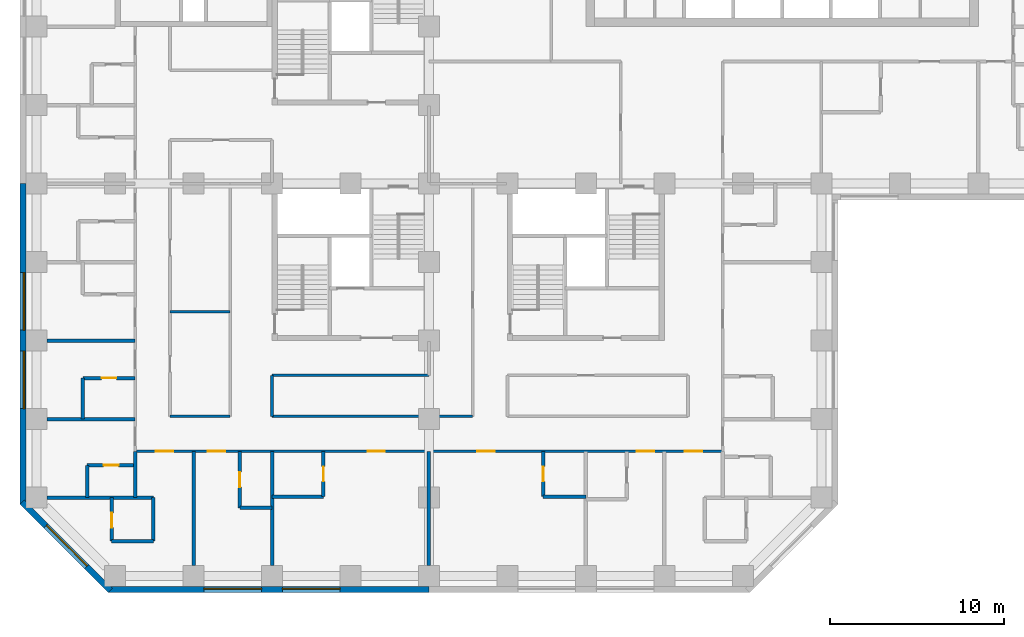
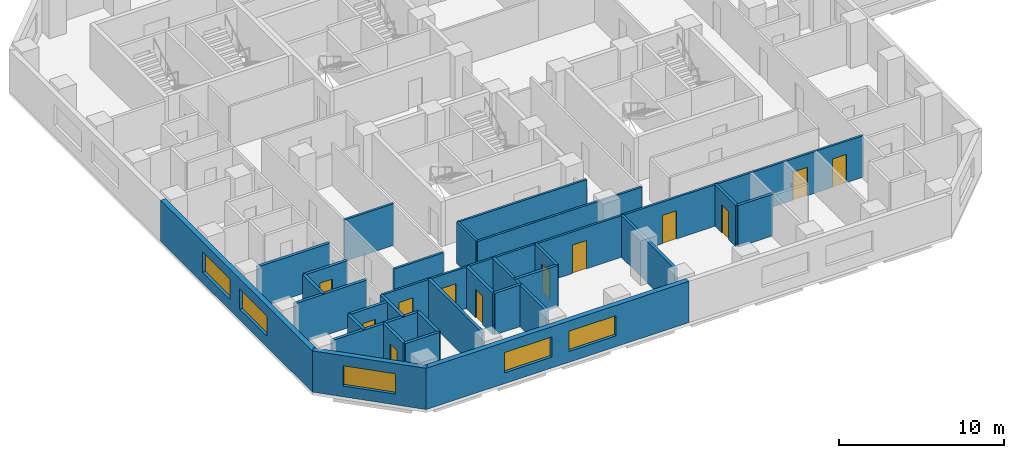
# One storey, part 2 of 12: 29 walls, 12 doors, 5 windows, 17 openings.
"""IFC4 building model written with IfcOpenShell, lengths in metres."""

from ifc_helpers import new_model, si_unit, direction, frame, frame_2d, origin, place, context, subcontext, project, spatial, rectangle, extrude, material, layer, layer_set, constituent, constituent_set, type_object, element, fill, save


model = new_model("IFC4")

# Units and contexts
model_context = context("Model", 3, precision=1e-05, world=origin(), true_north=direction((0.0, 1.0)))
body_context = subcontext(model_context, "Body", "Model", "MODEL_VIEW")
ifc_project = project(units=[si_unit("LENGTHUNIT", "METRE"), si_unit("AREAUNIT", "SQUARE_METRE"), si_unit("VOLUMEUNIT", "CUBIC_METRE"), si_unit("PLANEANGLEUNIT", "RADIAN"), si_unit("MASSUNIT", "GRAM", prefix="KILO")], contexts=[model_context])

# Site, building, storey
site_placement = place(None, origin())
site = spatial("IfcSite", under=ifc_project, at=site_placement, CompositionType="ELEMENT")
building_placement = place(site_placement, origin())
building = spatial("IfcBuilding", under=site, at=building_placement, Name="Quoin Convention Tower", CompositionType="ELEMENT")
storey_placement = place(building_placement, frame((0.0, 0.0, 56.10009765625)))
storey = spatial("IfcBuildingStorey", under=building, at=storey_placement, Name="L14", CompositionType="ELEMENT", Elevation=56.10009765625)

# Wall, opening, window
ifc_material_1 = material(Name="Brick masonry", Category="masonry")
ifc_layer_1 = layer(ifc_material_1, 0.35009765625)
ifc_layer_set_1 = layer_set([ifc_layer_1], Name="Brick masonry")
wall_type_1 = type_object("IfcWallType", Name="Brick facade wall", PredefinedType="STANDARD", material=ifc_layer_set_1)
wall_1_placement = place(storey_placement, frame((12.673583984375, 22.230224609375, 0.0), z_axis=(0.0, 0.0, 1.0), x_axis=(0.707106781187, -0.707106781187, 0.0)))
wall_1 = element("IfcWall", 1, at=wall_1_placement, inside=storey, type_object=wall_type_1, Name="fw-L14-13500_22500", PredefinedType="STANDARD", context=body_context, shape_type="SweptSolid", body=[
    extrude(rectangle(XDim=7.151123046875, YDim=0.35009765625, at=frame_2d((3.57568359375, 0.0))), origin(), (0.0, 0.0, 1.0), 3.054931640625),
])
opening_1_placement = place(wall_1_placement, frame((1.925537109375, 0.0, 0.800048828125)))
opening_1 = element("IfcOpeningElement", 2, at=opening_1_placement, cuts=wall_1, Name="Opening W-01", PredefinedType="OPENING", context=body_context, shape_type="SweptSolid", body=[
    extrude(rectangle(XDim=3.300048828125, YDim=1.5, at=frame_2d((1.64990234375, 0.75))), frame((0.0, 0.18505859375, 0.0), z_axis=(0.0, -1.0, 0.0), x_axis=(1.0, 0.0, 0.0)), (0.0, 0.0, 1.0), 0.3701171875),
])
ifc_material_2 = material(Name="Aluminium", Category="aluminium")
ifc_constituent_1 = constituent(ifc_material_2, Name="Frame")
ifc_material_3 = material(Name="Insulated glass", Category="glass")
ifc_constituent_2 = constituent(ifc_material_3, Name="Glazing")
ifc_constituent_set = constituent_set(constituents=[ifc_constituent_1, ifc_constituent_2], Name="Aluminium")
window_type = type_object("IfcWindowType", Name="Hotel strip window", PartitioningType="DOUBLE_PANEL_VERTICAL", PredefinedType="WINDOW", material=ifc_constituent_set)
window_1_placement = place(opening_1_placement, origin())
window_1 = element("IfcWindow", 3, at=window_1_placement, inside=storey, type_object=window_type, Name="win-L14-15202_19702", OverallHeight=1.5, OverallWidth=3.300048828125, PartitioningType="SINGLE_PANEL", PredefinedType="WINDOW", context=body_context, shape_type="SweptSolid", body=[
    extrude(rectangle(XDim=3.300048828125, YDim=1.5, at=frame_2d((1.64990234375, 0.75))), frame((0.0, 0.0849609375, 0.0), z_axis=(0.0, -1.0, 0.0), x_axis=(1.0, 0.0, 0.0)), (0.0, 0.0, 1.0), 0.06005859375),
])
fill(opening_1, window_1)

# Wall, openings, windows
wall_2_placement = place(storey_placement, frame((17.6064453125, 17.22509765625, 0.0), z_axis=(0.0, 0.0, 1.0), x_axis=(1.0, 0.0, 0.0)))
wall_2 = element("IfcWall", 4, at=wall_2_placement, inside=storey, type_object=wall_type_1, Name="fw-L14-18000_18000", PredefinedType="STANDARD", context=body_context, shape_type="SweptSolid", body=[
    extrude(rectangle(XDim=18.3935546875, YDim=0.35009765625, at=frame_2d((9.19677734375, 0.0))), origin(), (0.0, 0.0, 1.0), 3.054931640625),
])
opening_2_placement = place(wall_2_placement, frame((5.493408203125, 0.0, 0.800048828125)))
opening_2 = element("IfcOpeningElement", 5, at=opening_2_placement, cuts=wall_2, Name="Opening W-01", PredefinedType="OPENING", context=body_context, shape_type="SweptSolid", body=[
    extrude(rectangle(XDim=3.300048828125, YDim=1.5, at=frame_2d((1.64990234375, 0.75))), frame((0.0, 0.18505859375, 0.0), z_axis=(0.0, -1.0, 0.0), x_axis=(1.0, 0.0, 0.0)), (0.0, 0.0, 1.0), 0.3701171875),
])
opening_3_placement = place(wall_2_placement, frame((9.993408203125, 0.0, 0.800048828125)))
opening_3 = element("IfcOpeningElement", 6, at=opening_3_placement, cuts=wall_2, Name="Opening W-01", PredefinedType="OPENING", context=body_context, shape_type="SweptSolid", body=[
    extrude(rectangle(XDim=3.300048828125, YDim=1.5, at=frame_2d((1.64990234375, 0.75))), frame((0.0, 0.18505859375, 0.0), z_axis=(0.0, -1.0, 0.0), x_axis=(1.0, 0.0, 0.0)), (0.0, 0.0, 1.0), 0.3701171875),
])
window_2_placement = place(opening_2_placement, origin())
window_2 = element("IfcWindow", 7, at=window_2_placement, inside=storey, type_object=window_type, Name="win-L14-24750_17225", OverallHeight=1.5, OverallWidth=3.300048828125, PartitioningType="SINGLE_PANEL", PredefinedType="WINDOW", context=body_context, shape_type="SweptSolid", body=[
    extrude(rectangle(XDim=3.300048828125, YDim=1.5, at=frame_2d((1.64990234375, 0.75))), frame((0.0, 0.0849609375, 0.0), z_axis=(0.0, -1.0, 0.0), x_axis=(1.0, 0.0, 0.0)), (0.0, 0.0, 1.0), 0.06005859375),
])
fill(opening_2, window_2)
window_3_placement = place(opening_3_placement, origin())
window_3 = element("IfcWindow", 8, at=window_3_placement, inside=storey, type_object=window_type, Name="win-L14-29250_17225", OverallHeight=1.5, OverallWidth=3.300048828125, PartitioningType="SINGLE_PANEL", PredefinedType="WINDOW", context=body_context, shape_type="SweptSolid", body=[
    extrude(rectangle(XDim=3.300048828125, YDim=1.5, at=frame_2d((1.64990234375, 0.75))), frame((0.0, 0.0849609375, 0.0), z_axis=(0.0, -1.0, 0.0), x_axis=(1.0, 0.0, 0.0)), (0.0, 0.0, 1.0), 0.06005859375),
])
fill(opening_3, window_3)

wall_3_placement = place(storey_placement, frame((12.72509765625, 40.5, 0.0), z_axis=(0.0, 0.0, 1.0), x_axis=(0.0, -1.0, 0.0)))
wall_3 = element("IfcWall", 9, at=wall_3_placement, inside=storey, type_object=wall_type_1, Name="fw-L14-13500_40500", PredefinedType="STANDARD", context=body_context, shape_type="SweptSolid", body=[
    extrude(rectangle(XDim=18.3935546875, YDim=0.35009765625, at=frame_2d((9.19677734375, 0.0))), origin(), (0.0, 0.0, 1.0), 3.054931640625),
])
opening_4_placement = place(wall_3_placement, frame((5.10009765625, 0.0, 0.800048828125)))
opening_4 = element("IfcOpeningElement", 10, at=opening_4_placement, cuts=wall_3, Name="Opening W-01", PredefinedType="OPENING", context=body_context, shape_type="SweptSolid", body=[
    extrude(rectangle(XDim=3.300048828125, YDim=1.5, at=frame_2d((1.64990234375, 0.75))), frame((0.0, 0.18505859375, 0.0), z_axis=(0.0, -1.0, 0.0), x_axis=(1.0, 0.0, 0.0)), (0.0, 0.0, 1.0), 0.3701171875),
])
opening_5_placement = place(wall_3_placement, frame((9.60009765625, 0.0, 0.800048828125)))
opening_5 = element("IfcOpeningElement", 11, at=opening_5_placement, cuts=wall_3, Name="Opening W-01", PredefinedType="OPENING", context=body_context, shape_type="SweptSolid", body=[
    extrude(rectangle(XDim=3.300048828125, YDim=1.5, at=frame_2d((1.64990234375, 0.75))), frame((0.0, 0.18505859375, 0.0), z_axis=(0.0, -1.0, 0.0), x_axis=(1.0, 0.0, 0.0)), (0.0, 0.0, 1.0), 0.3701171875),
])
window_4_placement = place(opening_4_placement, origin())
window_4 = element("IfcWindow", 12, at=window_4_placement, inside=storey, type_object=window_type, Name="win-L14-12725_33750", OverallHeight=1.5, OverallWidth=3.300048828125, PartitioningType="SINGLE_PANEL", PredefinedType="WINDOW", context=body_context, shape_type="SweptSolid", body=[
    extrude(rectangle(XDim=3.300048828125, YDim=1.5, at=frame_2d((1.64990234375, 0.75))), frame((0.0, 0.0849609375, 0.0), z_axis=(0.0, -1.0, 0.0), x_axis=(1.0, 0.0, 0.0)), (0.0, 0.0, 1.0), 0.06005859375),
])
fill(opening_4, window_4)
window_5_placement = place(opening_5_placement, origin())
window_5 = element("IfcWindow", 13, at=window_5_placement, inside=storey, type_object=window_type, Name="win-L14-12725_29250", OverallHeight=1.5, OverallWidth=3.300048828125, PartitioningType="SINGLE_PANEL", PredefinedType="WINDOW", context=body_context, shape_type="SweptSolid", body=[
    extrude(rectangle(XDim=3.300048828125, YDim=1.5, at=frame_2d((1.64990234375, 0.75))), frame((0.0, 0.0849609375, 0.0), z_axis=(0.0, -1.0, 0.0), x_axis=(1.0, 0.0, 0.0)), (0.0, 0.0, 1.0), 0.06005859375),
])
fill(opening_5, window_5)

# Walls
ifc_material_4 = material(Name="Concrete C50", Category="concrete")
ifc_layer_2 = layer(ifc_material_4, 0.199951171875)
ifc_layer_set_2 = layer_set([ifc_layer_2], Name="Concrete C50")
wall_type_2 = type_object("IfcWallType", Name="RC party wall", PredefinedType="SOLIDWALL", material=ifc_layer_set_2)
for number, where, z_axis, x_axis, name in (
    (14, (22.5, 18.60009765625, 0.0), (0.0, 0.0, 1.0), (0.0, 1.0, 0.0), "pw-L14-035"),
    (15, (27.0, 18.60009765625, 0.0), (0.0, 0.0, 1.0), (0.0, 1.0, 0.0), "pw-L14-036"),
    (16, (36.0, 18.60009765625, 0.0), (0.0, 0.0, 1.0), (0.0, 1.0, 0.0), "pw-L14-037"),
):
    element("IfcWall", number, at=place(storey_placement, frame(where, z_axis=z_axis, x_axis=x_axis)), inside=storey, type_object=wall_type_2, Name=name, PredefinedType="SOLIDWALL", context=body_context, shape_type="SweptSolid", body=[
        extrude(rectangle(XDim=6.5498046875, YDim=0.199951171875, at=frame_2d((3.27490234375, 0.0))), origin(), (0.0, 0.0, 1.0), 3.079833984375),
    ])
wall_4_placement = place(storey_placement, frame((17.800048828125, 20.0, 0.0), z_axis=(0.0, 0.0, 1.0), x_axis=(1.0, 0.0, 0.0)))
element("IfcWall", 17, at=wall_4_placement, inside=storey, type_object=wall_type_2, Name="pw-L14-040", PredefinedType="SOLIDWALL", context=body_context, shape_type="SweptSolid", body=[
    extrude(rectangle(XDim=2.39990234375, YDim=0.199951171875, at=frame_2d((1.199951171875, 0.0))), origin(), (0.0, 0.0, 1.0), 3.079833984375),
])

# Wall, opening, door
wall_5_placement = place(storey_placement, frame((17.800048828125, 20.0, 0.0), z_axis=(0.0, 0.0, 1.0), x_axis=(0.0, 1.0, 0.0)))
wall_5 = element("IfcWall", 18, at=wall_5_placement, inside=storey, type_object=wall_type_2, Name="pw-L14-041", PredefinedType="SOLIDWALL", context=body_context, shape_type="SweptSolid", body=[
    extrude(rectangle(XDim=2.5, YDim=0.199951171875, at=frame_2d((1.25, 0.0))), origin(), (0.0, 0.0, 1.0), 3.079833984375),
])
opening_6_placement = place(wall_5_placement, frame((0.77490234375, 0.0, 0.0)))
opening_6 = element("IfcOpeningElement", 19, at=opening_6_placement, cuts=wall_5, Name="Opening DHOTEL-C-42", PredefinedType="OPENING", context=body_context, shape_type="SweptSolid", body=[
    extrude(rectangle(XDim=0.85009765625, YDim=2.10009765625, at=frame_2d((0.425048828125, 1.050048828125))), frame((0.0, 0.10986328125, 0.0), z_axis=(0.0, -1.0, 0.0), x_axis=(1.0, 0.0, 0.0)), (0.0, 0.0, 1.0), 0.219970703125),
])
ifc_material_5 = material(Name="Steel door leaf", Category="steel")
door_type_1 = type_object("IfcDoorType", Name="Bathroom door", OperationType="SINGLE_SWING_LEFT", PredefinedType="DOOR", material=ifc_material_5)
door_1_placement = place(opening_6_placement, origin())
door_1 = element("IfcDoor", 20, at=door_1_placement, inside=storey, type_object=door_type_1, Name="dr-L14-060", OperationType="SINGLE_SWING_RIGHT", OverallHeight=2.10009765625, OverallWidth=0.85009765625, PredefinedType="DOOR", context=body_context, shape_type="SweptSolid", body=[
    extrude(rectangle(XDim=0.85009765625, YDim=2.10009765625, at=frame_2d((0.425048828125, 1.050048828125))), frame((0.0, 0.02490234375, 0.0), z_axis=(0.0, -1.0, 0.0), x_axis=(1.0, 0.0, 0.0)), (0.0, 0.0, 1.0), 0.050048828125),
])
fill(opening_6, door_1)

# Walls
wall_6_placement = place(storey_placement, frame((20.199951171875, 20.0, 0.0), z_axis=(0.0, 0.0, 1.0), x_axis=(0.0, 1.0, 0.0)))
element("IfcWall", 21, at=wall_6_placement, inside=storey, type_object=wall_type_2, Name="pw-L14-042", PredefinedType="SOLIDWALL", context=body_context, shape_type="SweptSolid", body=[
    extrude(rectangle(XDim=2.5, YDim=0.199951171875, at=frame_2d((1.25, 0.0))), origin(), (0.0, 0.0, 1.0), 3.079833984375),
])
wall_7_placement = place(storey_placement, frame((25.14990234375, 21.89990234375, 0.0), z_axis=(0.0, 0.0, 1.0), x_axis=(1.0, 0.0, 0.0)))
element("IfcWall", 22, at=wall_7_placement, inside=storey, type_object=wall_type_2, Name="pw-L14-046", PredefinedType="SOLIDWALL", context=body_context, shape_type="SweptSolid", body=[
    extrude(rectangle(XDim=1.85009765625, YDim=0.199951171875, at=frame_2d((0.925048828125, 0.0))), origin(), (0.0, 0.0, 1.0), 3.079833984375),
])

# Wall, opening, door
wall_8_placement = place(storey_placement, frame((25.14990234375, 21.89990234375, 0.0), z_axis=(0.0, 0.0, 1.0), x_axis=(0.0, 1.0, 0.0)))
wall_8 = element("IfcWall", 23, at=wall_8_placement, inside=storey, type_object=wall_type_2, Name="pw-L14-047", PredefinedType="SOLIDWALL", context=body_context, shape_type="SweptSolid", body=[
    extrude(rectangle(XDim=3.25, YDim=0.199951171875, at=frame_2d((1.625, 0.0))), origin(), (0.0, 0.0, 1.0), 3.079833984375),
])
opening_7_placement = place(wall_8_placement, frame((1.199951171875, 0.0, 0.0)))
opening_7 = element("IfcOpeningElement", 24, at=opening_7_placement, cuts=wall_8, Name="Opening DHOTEL-C-44", PredefinedType="OPENING", context=body_context, shape_type="SweptSolid", body=[
    extrude(rectangle(XDim=0.85009765625, YDim=2.10009765625, at=frame_2d((0.425048828125, 1.050048828125))), frame((0.0, 0.10986328125, 0.0), z_axis=(0.0, -1.0, 0.0), x_axis=(1.0, 0.0, 0.0)), (0.0, 0.0, 1.0), 0.219970703125),
])
door_2_placement = place(opening_7_placement, origin())
door_2 = element("IfcDoor", 25, at=door_2_placement, inside=storey, type_object=door_type_1, Name="dr-L14-002", OperationType="SINGLE_SWING_RIGHT", OverallHeight=2.10009765625, OverallWidth=0.85009765625, PredefinedType="DOOR", context=body_context, shape_type="SweptSolid", body=[
    extrude(rectangle(XDim=0.85009765625, YDim=2.10009765625, at=frame_2d((0.425048828125, 1.050048828125))), frame((0.0, 0.02490234375, 0.0), z_axis=(0.0, -1.0, 0.0), x_axis=(1.0, 0.0, 0.0)), (0.0, 0.0, 1.0), 0.050048828125),
])
fill(opening_7, door_2)

# Walls
wall_9_placement = place(storey_placement, frame((14.10009765625, 22.5, 0.0), z_axis=(0.0, 0.0, 1.0), x_axis=(1.0, 0.0, 0.0)))
element("IfcWall", 26, at=wall_9_placement, inside=storey, type_object=wall_type_2, Name="pw-L14-050", PredefinedType="SOLIDWALL", context=body_context, shape_type="SweptSolid", body=[
    extrude(rectangle(XDim=6.099853515625, YDim=0.199951171875, at=frame_2d((3.0498046875, 0.0))), origin(), (0.0, 0.0, 1.0), 3.079833984375),
])
wall_10_placement = place(storey_placement, frame((16.39990234375, 22.5, 0.0), z_axis=(0.0, 0.0, 1.0), x_axis=(0.0, 1.0, 0.0)))
element("IfcWall", 27, at=wall_10_placement, inside=storey, type_object=wall_type_2, Name="pw-L14-051", PredefinedType="SOLIDWALL", context=body_context, shape_type="SweptSolid", body=[
    extrude(rectangle(XDim=1.85009765625, YDim=0.199951171875, at=frame_2d((0.925048828125, 0.0))), origin(), (0.0, 0.0, 1.0), 3.079833984375),
])
wall_11_placement = place(storey_placement, frame((19.14990234375, 22.5, 0.0), z_axis=(0.0, 0.0, 1.0), x_axis=(0.0, 1.0, 0.0)))
element("IfcWall", 28, at=wall_11_placement, inside=storey, type_object=wall_type_2, Name="pw-L14-052", PredefinedType="SOLIDWALL", context=body_context, shape_type="SweptSolid", body=[
    extrude(rectangle(XDim=2.64990234375, YDim=0.199951171875, at=frame_2d((1.324951171875, 0.0))), origin(), (0.0, 0.0, 1.0), 3.079833984375),
])
wall_12_placement = place(storey_placement, frame((27.0, 22.550048828125, 0.0), z_axis=(0.0, 0.0, 1.0), x_axis=(1.0, 0.0, 0.0)))
element("IfcWall", 29, at=wall_12_placement, inside=storey, type_object=wall_type_2, Name="pw-L14-056", PredefinedType="SOLIDWALL", context=body_context, shape_type="SweptSolid", body=[
    extrude(rectangle(XDim=2.949951171875, YDim=0.199951171875, at=frame_2d((1.47509765625, 0.0))), origin(), (0.0, 0.0, 1.0), 3.079833984375),
])

# Wall, opening, door
wall_13_placement = place(storey_placement, frame((29.949951171875, 22.550048828125, 0.0), z_axis=(0.0, 0.0, 1.0), x_axis=(0.0, 1.0, 0.0)))
wall_13 = element("IfcWall", 30, at=wall_13_placement, inside=storey, type_object=wall_type_2, Name="pw-L14-057", PredefinedType="SOLIDWALL", context=body_context, shape_type="SweptSolid", body=[
    extrude(rectangle(XDim=2.599853515625, YDim=0.199951171875, at=frame_2d((1.2998046875, 0.0))), origin(), (0.0, 0.0, 1.0), 3.079833984375),
])
opening_8_placement = place(wall_13_placement, frame((0.875, 0.0, 0.0)))
opening_8 = element("IfcOpeningElement", 31, at=opening_8_placement, cuts=wall_13, Name="Opening DHOTEL-C-46", PredefinedType="OPENING", context=body_context, shape_type="SweptSolid", body=[
    extrude(rectangle(XDim=0.85009765625, YDim=2.10009765625, at=frame_2d((0.425048828125, 1.050048828125))), frame((0.0, 0.10986328125, 0.0), z_axis=(0.0, -1.0, 0.0), x_axis=(1.0, 0.0, 0.0)), (0.0, 0.0, 1.0), 0.219970703125),
])
door_3_placement = place(opening_8_placement, frame((0.85009765625, 0.0, 0.0), z_axis=(0.0, 0.0, 1.0), x_axis=(-1.0, 0.0, 0.0)))
door_3 = element("IfcDoor", 32, at=door_3_placement, inside=storey, type_object=door_type_1, Name="dr-L14-004", OperationType="SINGLE_SWING_LEFT", OverallHeight=2.10009765625, OverallWidth=0.85009765625, PredefinedType="DOOR", context=body_context, shape_type="SweptSolid", body=[
    extrude(rectangle(XDim=0.85009765625, YDim=2.10009765625, at=frame_2d((0.425048828125, 1.050048828125))), frame((0.0, 0.02490234375, 0.0), z_axis=(0.0, -1.0, 0.0), x_axis=(1.0, 0.0, 0.0)), (0.0, 0.0, 1.0), 0.050048828125),
])
fill(opening_8, door_3)

# Wall
wall_14_placement = place(storey_placement, frame((42.550048828125, 22.550048828125, 0.0), z_axis=(0.0, 0.0, 1.0), x_axis=(1.0, 0.0, 0.0)))
element("IfcWall", 33, at=wall_14_placement, inside=storey, type_object=wall_type_2, Name="pw-L14-058", PredefinedType="SOLIDWALL", context=body_context, shape_type="SweptSolid", body=[
    extrude(rectangle(XDim=2.449951171875, YDim=0.199951171875, at=frame_2d((1.22509765625, 0.0))), origin(), (0.0, 0.0, 1.0), 3.079833984375),
])

# Wall, opening, door
wall_15_placement = place(storey_placement, frame((42.550048828125, 22.550048828125, 0.0), z_axis=(0.0, 0.0, 1.0), x_axis=(0.0, 1.0, 0.0)))
wall_15 = element("IfcWall", 34, at=wall_15_placement, inside=storey, type_object=wall_type_2, Name="pw-L14-059", PredefinedType="SOLIDWALL", context=body_context, shape_type="SweptSolid", body=[
    extrude(rectangle(XDim=2.599853515625, YDim=0.199951171875, at=frame_2d((1.2998046875, 0.0))), origin(), (0.0, 0.0, 1.0), 3.079833984375),
])
opening_9_placement = place(wall_15_placement, frame((0.875, 0.0, 0.0)))
opening_9 = element("IfcOpeningElement", 35, at=opening_9_placement, cuts=wall_15, Name="Opening DHOTEL-C-47", PredefinedType="OPENING", context=body_context, shape_type="SweptSolid", body=[
    extrude(rectangle(XDim=0.85009765625, YDim=2.10009765625, at=frame_2d((0.425048828125, 1.050048828125))), frame((0.0, 0.10986328125, 0.0), z_axis=(0.0, -1.0, 0.0), x_axis=(1.0, 0.0, 0.0)), (0.0, 0.0, 1.0), 0.219970703125),
])
door_4_placement = place(opening_9_placement, origin())
door_4 = element("IfcDoor", 36, at=door_4_placement, inside=storey, type_object=door_type_1, Name="dr-L14-006", OperationType="SINGLE_SWING_RIGHT", OverallHeight=2.10009765625, OverallWidth=0.85009765625, PredefinedType="DOOR", context=body_context, shape_type="SweptSolid", body=[
    extrude(rectangle(XDim=0.85009765625, YDim=2.10009765625, at=frame_2d((0.425048828125, 1.050048828125))), frame((0.0, 0.02490234375, 0.0), z_axis=(0.0, -1.0, 0.0), x_axis=(1.0, 0.0, 0.0)), (0.0, 0.0, 1.0), 0.050048828125),
])
fill(opening_9, door_4)

wall_16_placement = place(storey_placement, frame((16.39990234375, 24.35009765625, 0.0), z_axis=(0.0, 0.0, 1.0), x_axis=(1.0, 0.0, 0.0)))
wall_16 = element("IfcWall", 37, at=wall_16_placement, inside=storey, type_object=wall_type_2, Name="pw-L14-060", PredefinedType="SOLIDWALL", context=body_context, shape_type="SweptSolid", body=[
    extrude(rectangle(XDim=2.75, YDim=0.199951171875, at=frame_2d((1.375, 0.0))), origin(), (0.0, 0.0, 1.0), 3.079833984375),
])
opening_10_placement = place(wall_16_placement, frame((0.949951171875, 0.0, 0.0)))
opening_10 = element("IfcOpeningElement", 38, at=opening_10_placement, cuts=wall_16, Name="Opening DHOTEL-C-48", PredefinedType="OPENING", context=body_context, shape_type="SweptSolid", body=[
    extrude(rectangle(XDim=0.85009765625, YDim=2.10009765625, at=frame_2d((0.425048828125, 1.050048828125))), frame((0.0, 0.10986328125, 0.0), z_axis=(0.0, -1.0, 0.0), x_axis=(1.0, 0.0, 0.0)), (0.0, 0.0, 1.0), 0.219970703125),
])
door_5_placement = place(opening_10_placement, origin())
door_5 = element("IfcDoor", 39, at=door_5_placement, inside=storey, type_object=door_type_1, Name="dr-L14-010", OperationType="SINGLE_SWING_RIGHT", OverallHeight=2.10009765625, OverallWidth=0.85009765625, PredefinedType="DOOR", context=body_context, shape_type="SweptSolid", body=[
    extrude(rectangle(XDim=0.85009765625, YDim=2.10009765625, at=frame_2d((0.425048828125, 1.050048828125))), frame((0.0, 0.02490234375, 0.0), z_axis=(0.0, -1.0, 0.0), x_axis=(1.0, 0.0, 0.0)), (0.0, 0.0, 1.0), 0.050048828125),
])
fill(opening_10, door_5)

# Walls
wall_17_placement = place(storey_placement, frame((14.10009765625, 27.0, 0.0), z_axis=(0.0, 0.0, 1.0), x_axis=(1.0, 0.0, 0.0)))
element("IfcWall", 40, at=wall_17_placement, inside=storey, type_object=wall_type_2, Name="pw-L14-062", PredefinedType="SOLIDWALL", context=body_context, shape_type="SweptSolid", body=[
    extrude(rectangle(XDim=5.0498046875, YDim=0.199951171875, at=frame_2d((2.52490234375, 0.0))), origin(), (0.0, 0.0, 1.0), 3.079833984375),
])
wall_18_placement = place(storey_placement, frame((16.14990234375, 27.0, 0.0), z_axis=(0.0, 0.0, 1.0), x_axis=(0.0, 1.0, 0.0)))
element("IfcWall", 41, at=wall_18_placement, inside=storey, type_object=wall_type_2, Name="pw-L14-063", PredefinedType="SOLIDWALL", context=body_context, shape_type="SweptSolid", body=[
    extrude(rectangle(XDim=2.35009765625, YDim=0.199951171875, at=frame_2d((1.175048828125, 0.0))), origin(), (0.0, 0.0, 1.0), 3.079833984375),
])

# Wall, opening, door
wall_19_placement = place(storey_placement, frame((16.14990234375, 29.35009765625, 0.0), z_axis=(0.0, 0.0, 1.0), x_axis=(1.0, 0.0, 0.0)))
wall_19 = element("IfcWall", 42, at=wall_19_placement, inside=storey, type_object=wall_type_2, Name="pw-L14-066", PredefinedType="SOLIDWALL", context=body_context, shape_type="SweptSolid", body=[
    extrude(rectangle(XDim=3.0, YDim=0.199951171875, at=frame_2d((1.5, 0.0))), origin(), (0.0, 0.0, 1.0), 3.079833984375),
])
opening_11_placement = place(wall_19_placement, frame((1.074951171875, 0.0, 0.0)))
opening_11 = element("IfcOpeningElement", 43, at=opening_11_placement, cuts=wall_19, Name="Opening DHOTEL-C-50", PredefinedType="OPENING", context=body_context, shape_type="SweptSolid", body=[
    extrude(rectangle(XDim=0.85009765625, YDim=2.10009765625, at=frame_2d((0.425048828125, 1.050048828125))), frame((0.0, 0.10986328125, 0.0), z_axis=(0.0, -1.0, 0.0), x_axis=(1.0, 0.0, 0.0)), (0.0, 0.0, 1.0), 0.219970703125),
])
door_6_placement = place(opening_11_placement, origin())
door_6 = element("IfcDoor", 44, at=door_6_placement, inside=storey, type_object=door_type_1, Name="dr-L14-012", OperationType="SINGLE_SWING_RIGHT", OverallHeight=2.10009765625, OverallWidth=0.85009765625, PredefinedType="DOOR", context=body_context, shape_type="SweptSolid", body=[
    extrude(rectangle(XDim=0.85009765625, YDim=2.10009765625, at=frame_2d((0.425048828125, 1.050048828125))), frame((0.0, 0.02490234375, 0.0), z_axis=(0.0, -1.0, 0.0), x_axis=(1.0, 0.0, 0.0)), (0.0, 0.0, 1.0), 0.050048828125),
])
fill(opening_11, door_6)

# Wall
wall_20_placement = place(storey_placement, frame((14.10009765625, 31.5, 0.0), z_axis=(0.0, 0.0, 1.0), x_axis=(1.0, 0.0, 0.0)))
element("IfcWall", 45, at=wall_20_placement, inside=storey, type_object=wall_type_2, Name="pw-L14-068", PredefinedType="SOLIDWALL", context=body_context, shape_type="SweptSolid", body=[
    extrude(rectangle(XDim=5.0498046875, YDim=0.199951171875, at=frame_2d((2.52490234375, 0.0))), origin(), (0.0, 0.0, 1.0), 3.079833984375),
])

# Wall, openings, doors
ifc_material_6 = material(Name="Plasterboard")
ifc_layer_3 = layer(ifc_material_6, 0.012451171875, Name="Finish")
ifc_material_7 = material(Name="Steel stud framing", Category="steel")
ifc_layer_4 = layer(ifc_material_7, 0.125, Name="Structure")
ifc_layer_5 = layer(ifc_material_6, 0.012451171875, Name="Finish")
ifc_layer_set_3 = layer_set([ifc_layer_3, ifc_layer_4, ifc_layer_5], Name="Steel stud framing")
wall_type_3 = type_object("IfcWallType", Name="corridor partition", PredefinedType="PARTITIONING", material=ifc_layer_set_3)
wall_21_placement = place(storey_placement, frame((19.14990234375, 25.14990234375, 0.0), z_axis=(0.0, 0.0, 1.0), x_axis=(1.0, 0.0, 0.0)))
wall_21 = element("IfcWall", 46, at=wall_21_placement, inside=storey, type_object=wall_type_3, Name="pw-L14-003", PredefinedType="PARTITIONING", context=body_context, shape_type="SweptSolid", body=[
    extrude(rectangle(XDim=33.7001953125, YDim=0.14990234375, at=frame_2d((16.85009765625, 0.0))), origin(), (0.0, 0.0, 1.0), 3.079833984375),
])
opening_12_placement = place(wall_21_placement, frame((4.175048828125, 0.0, 0.0)))
opening_12 = element("IfcOpeningElement", 47, at=opening_12_placement, cuts=wall_21, Name="Opening DHOTEL-C-02", PredefinedType="OPENING", context=body_context, shape_type="SweptSolid", body=[
    extrude(rectangle(XDim=1.0, YDim=2.10009765625, at=frame_2d((0.5, 1.050048828125))), frame((0.0, 0.0849609375, 0.0), z_axis=(0.0, -1.0, 0.0), x_axis=(1.0, 0.0, 0.0)), (0.0, 0.0, 1.0), 0.169921875),
])
opening_13_placement = place(wall_21_placement, frame((13.324951171875, 0.0, 0.0)))
opening_13 = element("IfcOpeningElement", 48, at=opening_13_placement, cuts=wall_21, Name="Opening DHOTEL-C-03", PredefinedType="OPENING", context=body_context, shape_type="SweptSolid", body=[
    extrude(rectangle(XDim=1.0, YDim=2.10009765625, at=frame_2d((0.5, 1.050048828125))), frame((0.0, 0.0849609375, 0.0), z_axis=(0.0, -1.0, 0.0), x_axis=(1.0, 0.0, 0.0)), (0.0, 0.0, 1.0), 0.169921875),
])
opening_14_placement = place(wall_21_placement, frame((19.625, 0.0, 0.0)))
opening_14 = element("IfcOpeningElement", 49, at=opening_14_placement, cuts=wall_21, Name="Opening DHOTEL-C-04", PredefinedType="OPENING", context=body_context, shape_type="SweptSolid", body=[
    extrude(rectangle(XDim=1.0, YDim=2.10009765625, at=frame_2d((0.5, 1.050048828125))), frame((0.0, 0.0849609375, 0.0), z_axis=(0.0, -1.0, 0.0), x_axis=(1.0, 0.0, 0.0)), (0.0, 0.0, 1.0), 0.169921875),
])
opening_15_placement = place(wall_21_placement, frame((28.77490234375, 0.0, 0.0)))
opening_15 = element("IfcOpeningElement", 50, at=opening_15_placement, cuts=wall_21, Name="Opening DHOTEL-C-05", PredefinedType="OPENING", context=body_context, shape_type="SweptSolid", body=[
    extrude(rectangle(XDim=1.0, YDim=2.10009765625, at=frame_2d((0.5, 1.050048828125))), frame((0.0, 0.0849609375, 0.0), z_axis=(0.0, -1.0, 0.0), x_axis=(1.0, 0.0, 0.0)), (0.0, 0.0, 1.0), 0.169921875),
])
opening_16_placement = place(wall_21_placement, frame((1.175048828125, 0.0, 0.0)))
opening_16 = element("IfcOpeningElement", 51, at=opening_16_placement, cuts=wall_21, Name="Opening DHOTEL-C-01", PredefinedType="OPENING", context=body_context, shape_type="SweptSolid", body=[
    extrude(rectangle(XDim=1.0, YDim=2.10009765625, at=frame_2d((0.5, 1.050048828125))), frame((0.0, 0.0849609375, 0.0), z_axis=(0.0, -1.0, 0.0), x_axis=(1.0, 0.0, 0.0)), (0.0, 0.0, 1.0), 0.169921875),
])
opening_17_placement = place(wall_21_placement, frame((31.52490234375, 0.0, 0.0)))
opening_17 = element("IfcOpeningElement", 52, at=opening_17_placement, cuts=wall_21, Name="Opening DHOTEL-C-06", PredefinedType="OPENING", context=body_context, shape_type="SweptSolid", body=[
    extrude(rectangle(XDim=1.0, YDim=2.10009765625, at=frame_2d((0.5, 1.050048828125))), frame((0.0, 0.0849609375, 0.0), z_axis=(0.0, -1.0, 0.0), x_axis=(1.0, 0.0, 0.0)), (0.0, 0.0, 1.0), 0.169921875),
])
door_type_2 = type_object("IfcDoorType", Name="Hotel room door", OperationType="SINGLE_SWING_LEFT", PredefinedType="DOOR", material=ifc_material_5)
door_7_placement = place(opening_12_placement, frame((1.0, 0.0, 0.0), z_axis=(0.0, 0.0, 1.0), x_axis=(-1.0, 0.0, 0.0)))
door_7 = element("IfcDoor", 53, at=door_7_placement, inside=storey, type_object=door_type_2, Name="dr-L14-001", OperationType="SINGLE_SWING_LEFT", OverallHeight=2.10009765625, OverallWidth=1.0, PredefinedType="DOOR", context=body_context, shape_type="SweptSolid", body=[
    extrude(rectangle(XDim=1.0, YDim=2.10009765625, at=frame_2d((0.5, 1.050048828125))), frame((0.0, 0.02490234375, 0.0), z_axis=(0.0, -1.0, 0.0), x_axis=(1.0, 0.0, 0.0)), (0.0, 0.0, 1.0), 0.050048828125),
])
fill(opening_12, door_7)
door_8_placement = place(opening_13_placement, frame((1.0, 0.0, 0.0), z_axis=(0.0, 0.0, 1.0), x_axis=(-1.0, 0.0, 0.0)))
door_8 = element("IfcDoor", 54, at=door_8_placement, inside=storey, type_object=door_type_2, Name="dr-L14-003", OperationType="SINGLE_SWING_LEFT", OverallHeight=2.10009765625, OverallWidth=1.0, PredefinedType="DOOR", context=body_context, shape_type="SweptSolid", body=[
    extrude(rectangle(XDim=1.0, YDim=2.10009765625, at=frame_2d((0.5, 1.050048828125))), frame((0.0, 0.02490234375, 0.0), z_axis=(0.0, -1.0, 0.0), x_axis=(1.0, 0.0, 0.0)), (0.0, 0.0, 1.0), 0.050048828125),
])
fill(opening_13, door_8)
door_9_placement = place(opening_14_placement, frame((1.0, 0.0, 0.0), z_axis=(0.0, 0.0, 1.0), x_axis=(-1.0, 0.0, 0.0)))
door_9 = element("IfcDoor", 55, at=door_9_placement, inside=storey, type_object=door_type_2, Name="dr-L14-005", OperationType="SINGLE_SWING_LEFT", OverallHeight=2.10009765625, OverallWidth=1.0, PredefinedType="DOOR", context=body_context, shape_type="SweptSolid", body=[
    extrude(rectangle(XDim=1.0, YDim=2.10009765625, at=frame_2d((0.5, 1.050048828125))), frame((0.0, 0.02490234375, 0.0), z_axis=(0.0, -1.0, 0.0), x_axis=(1.0, 0.0, 0.0)), (0.0, 0.0, 1.0), 0.050048828125),
])
fill(opening_14, door_9)
door_10_placement = place(opening_15_placement, frame((1.0, 0.0, 0.0), z_axis=(0.0, 0.0, 1.0), x_axis=(-1.0, 0.0, 0.0)))
door_10 = element("IfcDoor", 56, at=door_10_placement, inside=storey, type_object=door_type_2, Name="dr-L14-007", OperationType="SINGLE_SWING_LEFT", OverallHeight=2.10009765625, OverallWidth=1.0, PredefinedType="DOOR", context=body_context, shape_type="SweptSolid", body=[
    extrude(rectangle(XDim=1.0, YDim=2.10009765625, at=frame_2d((0.5, 1.050048828125))), frame((0.0, 0.02490234375, 0.0), z_axis=(0.0, -1.0, 0.0), x_axis=(1.0, 0.0, 0.0)), (0.0, 0.0, 1.0), 0.050048828125),
])
fill(opening_15, door_10)
door_11_placement = place(opening_16_placement, frame((1.0, 0.0, 0.0), z_axis=(0.0, 0.0, 1.0), x_axis=(-1.0, 0.0, 0.0)))
door_11 = element("IfcDoor", 57, at=door_11_placement, inside=storey, type_object=door_type_2, Name="dr-L14-059", OperationType="SINGLE_SWING_LEFT", OverallHeight=2.10009765625, OverallWidth=1.0, PredefinedType="DOOR", context=body_context, shape_type="SweptSolid", body=[
    extrude(rectangle(XDim=1.0, YDim=2.10009765625, at=frame_2d((0.5, 1.050048828125))), frame((0.0, 0.02490234375, 0.0), z_axis=(0.0, -1.0, 0.0), x_axis=(1.0, 0.0, 0.0)), (0.0, 0.0, 1.0), 0.050048828125),
])
fill(opening_16, door_11)
door_12_placement = place(opening_17_placement, frame((1.0, 0.0, 0.0), z_axis=(0.0, 0.0, 1.0), x_axis=(-1.0, 0.0, 0.0)))
door_12 = element("IfcDoor", 58, at=door_12_placement, inside=storey, type_object=door_type_2, Name="dr-L14-061", OperationType="SINGLE_SWING_LEFT", OverallHeight=2.10009765625, OverallWidth=1.0, PredefinedType="DOOR", context=body_context, shape_type="SweptSolid", body=[
    extrude(rectangle(XDim=1.0, YDim=2.10009765625, at=frame_2d((0.5, 1.050048828125))), frame((0.0, 0.02490234375, 0.0), z_axis=(0.0, -1.0, 0.0), x_axis=(1.0, 0.0, 0.0)), (0.0, 0.0, 1.0), 0.050048828125),
])
fill(opening_17, door_12)

# Walls
wall_22_placement = place(storey_placement, frame((21.14990234375, 27.14990234375, 0.0), z_axis=(0.0, 0.0, 1.0), x_axis=(1.0, 0.0, 0.0)))
element("IfcWall", 59, at=wall_22_placement, inside=storey, type_object=wall_type_3, Name="pw-L14-006", PredefinedType="PARTITIONING", context=body_context, shape_type="SweptSolid", body=[
    extrude(rectangle(XDim=3.4501953125, YDim=0.14990234375, at=frame_2d((1.72509765625, 0.0))), origin(), (0.0, 0.0, 1.0), 3.079833984375),
])
wall_23_placement = place(storey_placement, frame((27.0, 27.14990234375, 0.0), z_axis=(0.0, 0.0, 1.0), x_axis=(1.0, 0.0, 0.0)))
element("IfcWall", 60, at=wall_23_placement, inside=storey, type_object=wall_type_3, Name="pw-L14-009", PredefinedType="PARTITIONING", context=body_context, shape_type="SweptSolid", body=[
    extrude(rectangle(XDim=11.5, YDim=0.14990234375, at=frame_2d((5.75, 0.0))), origin(), (0.0, 0.0, 1.0), 3.079833984375),
])
wall_24_placement = place(storey_placement, frame((27.0, 27.14990234375, 0.0), z_axis=(0.0, 0.0, 1.0), x_axis=(0.0, 1.0, 0.0)))
element("IfcWall", 61, at=wall_24_placement, inside=storey, type_object=wall_type_3, Name="pw-L14-010", PredefinedType="PARTITIONING", context=body_context, shape_type="SweptSolid", body=[
    extrude(rectangle(XDim=2.35009765625, YDim=0.14990234375, at=frame_2d((1.175048828125, 0.0))), origin(), (0.0, 0.0, 1.0), 3.079833984375),
])
wall_25_placement = place(storey_placement, frame((27.0, 29.5, 0.0), z_axis=(0.0, 0.0, 1.0), x_axis=(1.0, 0.0, 0.0)))
element("IfcWall", 62, at=wall_25_placement, inside=storey, type_object=wall_type_3, Name="pw-L14-015", PredefinedType="PARTITIONING", context=body_context, shape_type="SweptSolid", body=[
    extrude(rectangle(XDim=9.0, YDim=0.14990234375, at=frame_2d((4.5, 0.0))), origin(), (0.0, 0.0, 1.0), 3.079833984375),
])
ifc_layer_6 = layer(ifc_material_6, 0.012451171875, Name="Finish")
ifc_layer_7 = layer(ifc_material_7, 0.125, Name="Structure")
ifc_layer_8 = layer(ifc_material_6, 0.012451171875, Name="Finish")
ifc_layer_set_4 = layer_set([ifc_layer_6, ifc_layer_7, ifc_layer_8], Name="Steel stud framing")
wall_type_4 = type_object("IfcWallType", Name="room partition", PredefinedType="PARTITIONING", material=ifc_layer_set_4)
wall_26_placement = place(storey_placement, frame((21.14990234375, 33.14990234375, 0.0), z_axis=(0.0, 0.0, 1.0), x_axis=(1.0, 0.0, 0.0)))
element("IfcWall", 63, at=wall_26_placement, inside=storey, type_object=wall_type_4, Name="pw-L14-154", PredefinedType="PARTITIONING", context=body_context, shape_type="SweptSolid", body=[
    extrude(rectangle(XDim=3.4501953125, YDim=0.14990234375, at=frame_2d((1.72509765625, 0.0))), origin(), (0.0, 0.0, 1.0), 3.079833984375),
])

save(model, "model.ifc")
